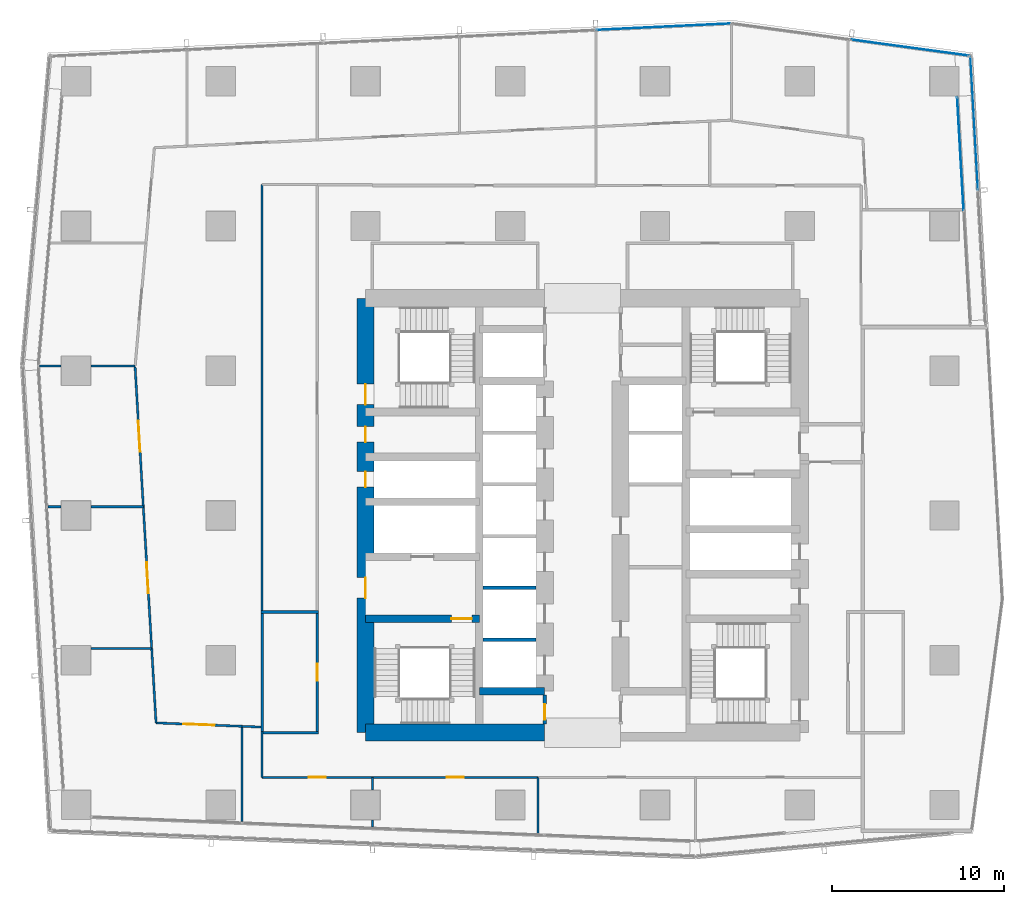
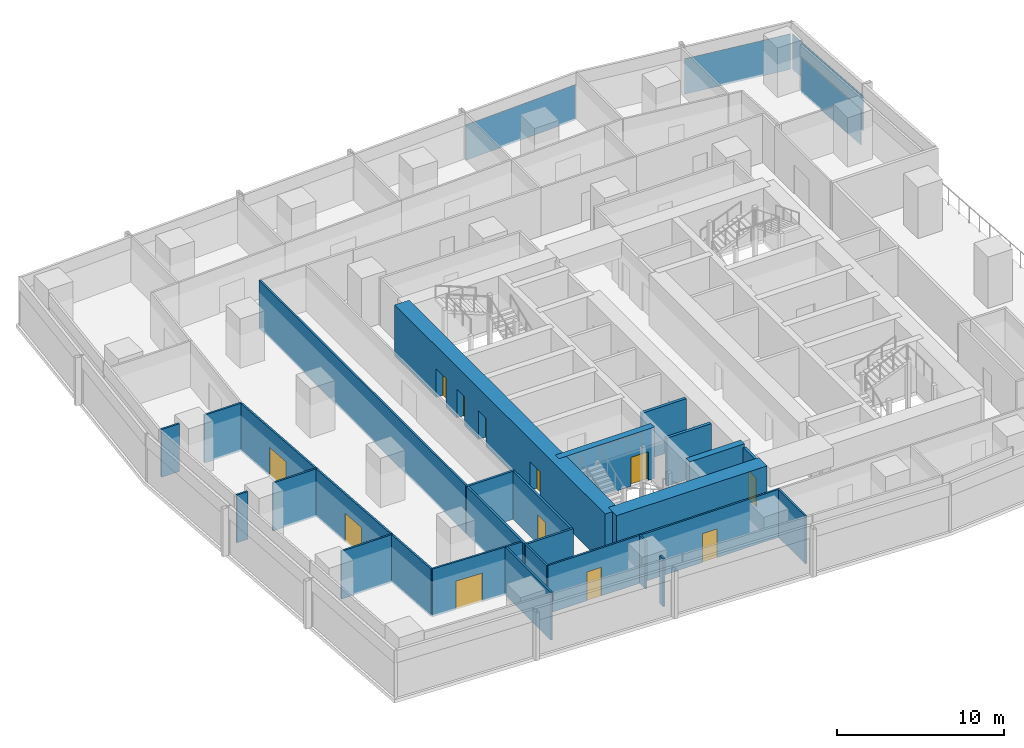
# One storey, part 24 of 34: 29 walls, 12 doors, 4 plates, 12 openings, 4 elements without a shape of their own.
"""IFC4 building model written with IfcOpenShell, lengths in metres."""

from ifc_helpers import new_model, si_unit, direction, frame, frame_2d, origin, origin_2d, place, context, subcontext, project, spatial, rectangle, extrude, material, layer, layer_set, type_object, element, fill, aggregate, save


model = new_model("IFC4")

# Units and contexts
model_context = context("Model", 3, precision=1e-05, world=origin(), true_north=direction((0.0, 1.0)))
body_context = subcontext(model_context, "Body", "Model", "MODEL_VIEW")
ifc_project = project(units=[si_unit("LENGTHUNIT", "METRE"), si_unit("AREAUNIT", "SQUARE_METRE"), si_unit("VOLUMEUNIT", "CUBIC_METRE"), si_unit("PLANEANGLEUNIT", "RADIAN"), si_unit("MASSUNIT", "GRAM", prefix="KILO")], contexts=[model_context])

# Site, building, storey
site_placement = place(None, origin())
site = spatial("IfcSite", under=ifc_project, at=site_placement, CompositionType="ELEMENT")
building_placement = place(site_placement, origin())
building = spatial("IfcBuilding", under=site, at=building_placement, Name="Rekha Terrace Tower", CompositionType="ELEMENT")
storey_placement = place(building_placement, frame((0.0, 0.0, 176.449951171875)))
storey = spatial("IfcBuildingStorey", under=building, at=storey_placement, Name="L44", CompositionType="ELEMENT", Elevation=176.449951171875)

# Curtain wall, plate
ifc_material_1 = material(Name="Aluminium framing", Category="aluminium")
curtain_wall_type_1 = type_object("IfcCurtainWallType", Name="CW1 double skin inner glazing", PredefinedType="USERDEFINED", material=ifc_material_1)
curtain_wall_1_placement = place(storey_placement, origin())
curtain_wall_1 = element("IfcCurtainWall", 1, at=curtain_wall_1_placement, inside=storey, type_object=curtain_wall_type_1, Name="CW1 double skin inner glazing", ObjectType="DOUBLE SKIN INNER GLAZING", PredefinedType="USERDEFINED")
ifc_material_2 = material(Name="Double-glazed low-e unit 32", Category="glass")
ifc_layer_1 = layer(ifc_material_2, 0.031982421875)
ifc_layer_set_1 = layer_set([ifc_layer_1], Name="Double-glazed low-e unit 32")
plate_type_1 = type_object("IfcPlateType", Name="CW1 jumbo vision panel, double-glazed low-e unit 32", PredefinedType="CURTAIN_PANEL", material=ifc_layer_set_1)
plate_1_placement = place(storey_placement, frame((59.72119140625, 54.584228515625, 0.0), z_axis=(0.0, 0.0, 1.0), x_axis=(-0.056673194877, 0.998392782918, 0.0)))
plate_1 = element("IfcPlate", 2, at=plate_1_placement, type_object=plate_type_1, Name="CW1 panel 2.1", PredefinedType="CURTAIN_PANEL", context=body_context, shape_type="SweptSolid", body=[
    extrude(rectangle(XDim=6.5615234375, YDim=0.031982421875, at=origin_2d()), origin(), (0.0, 0.0, 1.0), 2.60009765625),
])
aggregate(curtain_wall_1, [plate_1])

curtain_wall_type_2 = type_object("IfcCurtainWallType", Name="CW2 double skin outer glazing", PredefinedType="USERDEFINED", material=ifc_material_1)
curtain_wall_2_placement = place(storey_placement, origin())
curtain_wall_2 = element("IfcCurtainWall", 3, at=curtain_wall_2_placement, inside=storey, type_object=curtain_wall_type_2, Name="CW2 double skin outer glazing", ObjectType="DOUBLE SKIN OUTER GLAZING", PredefinedType="USERDEFINED")
ifc_material_3 = material(Name="Toughened single glazing 12", Category="glass")
ifc_layer_2 = layer(ifc_material_3, 0.011962890625)
ifc_layer_set_2 = layer_set([ifc_layer_2], Name="Toughened single glazing 12")
plate_type_2 = type_object("IfcPlateType", Name="CW2 jumbo vision panel, toughened single glazing 12", PredefinedType="CURTAIN_PANEL", material=ifc_layer_set_2)
plate_2_placement = place(storey_placement, frame((60.521484375, 56.368896484375, 0.0), z_axis=(0.0, 0.0, 1.0), x_axis=(-0.05667319486, 0.998392782919, 0.0)))
plate_2 = element("IfcPlate", 4, at=plate_2_placement, type_object=plate_type_2, Name="CW2 panel 2.1", PredefinedType="CURTAIN_PANEL", context=body_context, shape_type="SweptSolid", body=[
    extrude(rectangle(XDim=7.733154296875, YDim=0.011962890625, at=origin_2d()), origin(), (0.0, 0.0, 1.0), 2.60009765625),
])
aggregate(curtain_wall_2, [plate_2])

curtain_wall_type_3 = type_object("IfcCurtainWallType", Name="CW3 north unitised glazing", PredefinedType="USERDEFINED", material=ifc_material_1)
curtain_wall_3_placement = place(storey_placement, origin())
curtain_wall_3 = element("IfcCurtainWall", 5, at=curtain_wall_3_placement, inside=storey, type_object=curtain_wall_type_3, Name="CW3 unitised curtain wall", ObjectType="UNITISED CURTAIN WALL", PredefinedType="USERDEFINED")
ifc_material_4 = material(Name="Double-glazed unit 28", Category="glass")
ifc_layer_3 = layer(ifc_material_4, 0.028076171875)
ifc_layer_set_3 = layer_set([ifc_layer_3], Name="Double-glazed unit 28")
plate_type_3 = type_object("IfcPlateType", Name="CW3 jumbo vision panel, double-glazed unit 28", PredefinedType="CURTAIN_PANEL", material=ifc_layer_set_3)
plate_3_placement = place(storey_placement, frame((56.797119140625, 60.745361328125, 0.0), z_axis=(0.0, 0.0, 1.0), x_axis=(-0.990867270504, 0.134840840416, 0.0)))
plate_3 = element("IfcPlate", 6, at=plate_3_placement, type_object=plate_type_3, Name="CW3 panel 1.1", PredefinedType="CURTAIN_PANEL", context=body_context, shape_type="SweptSolid", body=[
    extrude(rectangle(XDim=6.8486328125, YDim=0.028076171875, at=origin_2d()), origin(), (0.0, 0.0, 1.0), 2.60009765625),
])
aggregate(curtain_wall_3, [plate_3])

curtain_wall_4_placement = place(storey_placement, origin())
curtain_wall_4 = element("IfcCurtainWall", 7, at=curtain_wall_4_placement, inside=storey, type_object=curtain_wall_type_3, Name="CW3 unitised curtain wall", ObjectType="UNITISED CURTAIN WALL", PredefinedType="USERDEFINED")
plate_4_placement = place(storey_placement, frame((42.50732421875, 61.95947265625, 0.0), z_axis=(0.0, 0.0, 1.0), x_axis=(-0.998858906204, -0.047758616983, 0.0)))
plate_4 = element("IfcPlate", 8, at=plate_4_placement, type_object=plate_type_3, Name="CW3 panel 1.1", PredefinedType="CURTAIN_PANEL", context=body_context, shape_type="SweptSolid", body=[
    extrude(rectangle(XDim=7.81298828125, YDim=0.028076171875, at=origin_2d()), origin(), (0.0, 0.0, 1.0), 2.60009765625),
])
aggregate(curtain_wall_4, [plate_4])

# Wall
ifc_material_5 = material(Name="Concrete M60", Category="concrete")
ifc_layer_4 = layer(ifc_material_5, 0.449951171875)
ifc_layer_set_4 = layer_set([ifc_layer_4], Name="Concrete M60")
wall_type_1 = type_object("IfcWallType", Name="CI3 450 core internal shear wall", PredefinedType="SHEAR", material=ifc_layer_set_4)
wall_1_placement = place(storey_placement, frame((31.800048828125, 23.39990234375, 0.0), z_axis=(0.0, 0.0, 1.0), x_axis=(1.0, 0.0, 0.0)))
element("IfcWall", 9, at=wall_1_placement, inside=storey, type_object=wall_type_1, Name="Core wall Y234W L44", PredefinedType="SHEAR", context=body_context, shape_type="SweptSolid", body=[
    extrude(rectangle(XDim=3.800048828125, YDim=0.449951171875, at=frame_2d((1.89990234375, 0.0))), origin(), (0.0, 0.0, 1.0), 3.75),
])

# Wall, opening, door
wall_2_placement = place(storey_placement, frame((25.199951171875, 27.60009765625, 0.0), z_axis=(0.0, 0.0, 1.0), x_axis=(1.0, 0.0, 0.0)))
wall_2 = element("IfcWall", 10, at=wall_2_placement, inside=storey, type_object=wall_type_1, Name="Core wall Y276W L44", PredefinedType="SHEAR", context=body_context, shape_type="SweptSolid", body=[
    extrude(rectangle(XDim=6.60009765625, YDim=0.449951171875, at=frame_2d((3.300048828125, 0.0))), origin(), (0.0, 0.0, 1.0), 3.75),
])
opening_1_placement = place(wall_2_placement, frame((4.97509765625, 0.0, 0.0)))
opening_1 = element("IfcOpeningElement", 11, at=opening_1_placement, cuts=wall_2, Name="Opening D1", PredefinedType="OPENING", context=body_context, shape_type="SweptSolid", body=[
    extrude(rectangle(XDim=1.199951171875, YDim=2.10009765625, at=frame_2d((0.60009765625, 1.050048828125))), frame((0.0, 0.23486328125, 0.0), z_axis=(0.0, -1.0, 0.0), x_axis=(1.0, 0.0, 0.0)), (0.0, 0.0, 1.0), 0.469970703125),
])
ifc_material_6 = material(Name="Steel fire door", Category="steel")
door_type_1 = type_object("IfcDoorType", Name="D1 1200x2100 stair fire door", OperationType="SINGLE_SWING_RIGHT", PredefinedType="DOOR", material=ifc_material_6)
door_1_placement = place(opening_1_placement, origin())
door_1 = element("IfcDoor", 12, at=door_1_placement, inside=storey, type_object=door_type_1, Name="Stair ST1 door L44", OperationType="SINGLE_SWING_RIGHT", OverallHeight=2.10009765625, OverallWidth=1.199951171875, PredefinedType="DOOR", context=body_context, shape_type="SweptSolid", body=[
    extrude(rectangle(XDim=1.199951171875, YDim=2.10009765625, at=frame_2d((0.60009765625, 1.050048828125))), frame((0.0, 0.02490234375, 0.0), z_axis=(0.0, -1.0, 0.0), x_axis=(1.0, 0.0, 0.0)), (0.0, 0.0, 1.0), 0.050048828125),
])
fill(opening_1, door_1)

# Wall
ifc_layer_5 = layer(ifc_material_5, 1.0)
ifc_layer_set_5 = layer_set([ifc_layer_5], Name="Concrete M60")
wall_type_2 = type_object("IfcWallType", Name="SW3 1000 core outer shear wall", PredefinedType="SHEAR", material=ifc_layer_set_5)
wall_3_placement = place(storey_placement, frame((25.199951171875, 21.0, 0.0), z_axis=(0.0, 0.0, 1.0), x_axis=(1.0, 0.0, 0.0)))
element("IfcWall", 13, at=wall_3_placement, inside=storey, type_object=wall_type_2, Name="Core wall S1 L44", PredefinedType="SHEAR", context=body_context, shape_type="SweptSolid", body=[
    extrude(rectangle(XDim=10.400146484375, YDim=1.0, at=frame_2d((5.2001953125, 0.0))), origin(), (0.0, 0.0, 1.0), 3.75),
])

# Wall, openings, doors
wall_4_placement = place(storey_placement, frame((25.199951171875, 21.0, 0.0), z_axis=(0.0, 0.0, 1.0), x_axis=(0.0, 1.0, 0.0)))
wall_4 = element("IfcWall", 14, at=wall_4_placement, inside=storey, type_object=wall_type_2, Name="Core wall W L44", PredefinedType="SHEAR", context=body_context, shape_type="SweptSolid", body=[
    extrude(rectangle(XDim=25.199951171875, YDim=1.0, at=frame_2d((12.60009765625, 0.0))), origin(), (0.0, 0.0, 1.0), 3.75),
])
opening_2_placement = place(wall_4_placement, frame((7.800048828125, 0.0, 0.0)))
opening_2 = element("IfcOpeningElement", 15, at=opening_2_placement, cuts=wall_4, Name="Opening D2", PredefinedType="OPENING", context=body_context, shape_type="SweptSolid", body=[
    extrude(rectangle(XDim=1.199951171875, YDim=2.10009765625, at=frame_2d((0.60009765625, 1.050048828125))), frame((0.0, 0.510009765625, 0.0), z_axis=(0.0, -1.0, 0.0), x_axis=(1.0, 0.0, 0.0)), (0.0, 0.0, 1.0), 1.02001953125),
])
opening_3_placement = place(wall_4_placement, frame((14.25, 0.0, 0.0)))
opening_3 = element("IfcOpeningElement", 16, at=opening_3_placement, cuts=wall_4, Name="Opening D5", PredefinedType="OPENING", context=body_context, shape_type="SweptSolid", body=[
    extrude(rectangle(XDim=0.89990234375, YDim=2.10009765625, at=frame_2d((0.449951171875, 1.050048828125))), frame((0.0, 0.510009765625, 0.0), z_axis=(0.0, -1.0, 0.0), x_axis=(1.0, 0.0, 0.0)), (0.0, 0.0, 1.0), 1.02001953125),
])
opening_4_placement = place(wall_4_placement, frame((16.85009765625, 0.0, 0.0)))
opening_4 = element("IfcOpeningElement", 17, at=opening_4_placement, cuts=wall_4, Name="Opening D5", PredefinedType="OPENING", context=body_context, shape_type="SweptSolid", body=[
    extrude(rectangle(XDim=0.89990234375, YDim=2.10009765625, at=frame_2d((0.449951171875, 1.050048828125))), frame((0.0, 0.510009765625, 0.0), z_axis=(0.0, -1.0, 0.0), x_axis=(1.0, 0.0, 0.0)), (0.0, 0.0, 1.0), 1.02001953125),
])
opening_5_placement = place(wall_4_placement, frame((19.02490234375, 0.0, 0.0)))
opening_5 = element("IfcOpeningElement", 18, at=opening_5_placement, cuts=wall_4, Name="Opening D1", PredefinedType="OPENING", context=body_context, shape_type="SweptSolid", body=[
    extrude(rectangle(XDim=1.199951171875, YDim=2.10009765625, at=frame_2d((0.60009765625, 1.050048828125))), frame((0.0, 0.510009765625, 0.0), z_axis=(0.0, -1.0, 0.0), x_axis=(1.0, 0.0, 0.0)), (0.0, 0.0, 1.0), 1.02001953125),
])
door_2_placement = place(opening_5_placement, origin())
door_2 = element("IfcDoor", 19, at=door_2_placement, inside=storey, type_object=door_type_1, Name="Stair ST4 door L44", OperationType="SINGLE_SWING_RIGHT", OverallHeight=2.10009765625, OverallWidth=1.199951171875, PredefinedType="DOOR", context=body_context, shape_type="SweptSolid", body=[
    extrude(rectangle(XDim=1.199951171875, YDim=2.10009765625, at=frame_2d((0.60009765625, 1.050048828125))), frame((0.0, 0.02490234375, 0.0), z_axis=(0.0, -1.0, 0.0), x_axis=(1.0, 0.0, 0.0)), (0.0, 0.0, 1.0), 0.050048828125),
])
fill(opening_5, door_2)
door_type_2 = type_object("IfcDoorType", Name="D2 1200x2100 firefighting lobby door", OperationType="SINGLE_SWING_LEFT", PredefinedType="DOOR", material=ifc_material_6)
door_3_placement = place(opening_2_placement, origin())
door_3 = element("IfcDoor", 20, at=door_3_placement, inside=storey, type_object=door_type_2, Name="Door flb1 L44", OperationType="SINGLE_SWING_LEFT", OverallHeight=2.10009765625, OverallWidth=1.199951171875, PredefinedType="DOOR", context=body_context, shape_type="SweptSolid", body=[
    extrude(rectangle(XDim=1.199951171875, YDim=2.10009765625, at=frame_2d((0.60009765625, 1.050048828125))), frame((0.0, 0.02490234375, 0.0), z_axis=(0.0, -1.0, 0.0), x_axis=(1.0, 0.0, 0.0)), (0.0, 0.0, 1.0), 0.050048828125),
])
fill(opening_2, door_3)
door_type_3 = type_object("IfcDoorType", Name="D5 900x2100 riser access door", OperationType="SINGLE_SWING_LEFT", PredefinedType="DOOR", material=ifc_material_6)
door_4_placement = place(opening_3_placement, origin())
door_4 = element("IfcDoor", 21, at=door_4_placement, inside=storey, type_object=door_type_3, Name="Door rs1 L44", OperationType="SINGLE_SWING_LEFT", OverallHeight=2.10009765625, OverallWidth=0.89990234375, PredefinedType="DOOR", context=body_context, shape_type="SweptSolid", body=[
    extrude(rectangle(XDim=0.89990234375, YDim=2.10009765625, at=frame_2d((0.449951171875, 1.050048828125))), frame((0.0, 0.02490234375, 0.0), z_axis=(0.0, -1.0, 0.0), x_axis=(1.0, 0.0, 0.0)), (0.0, 0.0, 1.0), 0.050048828125),
])
fill(opening_3, door_4)
door_5_placement = place(opening_4_placement, origin())
door_5 = element("IfcDoor", 22, at=door_5_placement, inside=storey, type_object=door_type_3, Name="Door elw L44", OperationType="SINGLE_SWING_LEFT", OverallHeight=2.10009765625, OverallWidth=0.89990234375, PredefinedType="DOOR", context=body_context, shape_type="SweptSolid", body=[
    extrude(rectangle(XDim=0.89990234375, YDim=2.10009765625, at=frame_2d((0.449951171875, 1.050048828125))), frame((0.0, 0.02490234375, 0.0), z_axis=(0.0, -1.0, 0.0), x_axis=(1.0, 0.0, 0.0)), (0.0, 0.0, 1.0), 0.050048828125),
])
fill(opening_4, door_5)

# Walls
ifc_material_7 = material(Name="Concrete block masonry, 1 hour", Category="masonry")
ifc_layer_6 = layer(ifc_material_7, 0.14990234375)
ifc_layer_set_6 = layer_set([ifc_layer_6], Name="Concrete block masonry, 1 hour")
wall_type_3 = type_object("IfcWallType", Name="WP2 150 tenancy partition", PredefinedType="PARTITIONING", material=ifc_layer_set_6)
for number, where, z_axis, x_axis, name in (
    (23, (19.125, 21.0, 0.0), (0.0, 0.0, 1.0), (1.0, 0.0, 0.0), "Men's WC wall L44"),
    (24, (19.125, 28.0, 0.0), (0.0, 0.0, 1.0), (1.0, 0.0, 0.0), "Men's WC wall L44"),
):
    element("IfcWall", number, at=place(storey_placement, frame(where, z_axis=z_axis, x_axis=x_axis)), inside=storey, type_object=wall_type_3, Name=name, PredefinedType="PARTITIONING", context=body_context, shape_type="SweptSolid", body=[
        extrude(rectangle(XDim=3.35009765625, YDim=0.14990234375, at=frame_2d((1.675048828125, 0.0))), origin(), (0.0, 0.0, 1.0), 3.5),
    ])
wall_5_placement = place(storey_placement, frame((19.199951171875, 21.074951171875, 0.0), z_axis=(0.0, 0.0, 1.0), x_axis=(0.0, 1.0, 0.0)))
element("IfcWall", 25, at=wall_5_placement, inside=storey, type_object=wall_type_3, Name="Men's WC wall L44", PredefinedType="PARTITIONING", context=body_context, shape_type="SweptSolid", body=[
    extrude(rectangle(XDim=6.85009765625, YDim=0.14990234375, at=frame_2d((3.425048828125, 0.0))), origin(), (0.0, 0.0, 1.0), 3.5),
])

# Wall, opening, door
wall_6_placement = place(storey_placement, frame((22.39990234375, 21.074951171875, 0.0), z_axis=(0.0, 0.0, 1.0), x_axis=(0.0, 1.0, 0.0)))
wall_6 = element("IfcWall", 26, at=wall_6_placement, inside=storey, type_object=wall_type_3, Name="Men's WC wall L44", PredefinedType="PARTITIONING", context=body_context, shape_type="SweptSolid", body=[
    extrude(rectangle(XDim=6.85009765625, YDim=0.14990234375, at=frame_2d((3.425048828125, 0.0))), origin(), (0.0, 0.0, 1.0), 3.5),
])
opening_6_placement = place(wall_6_placement, frame((2.925048828125, 0.0, 0.0)))
opening_6 = element("IfcOpeningElement", 27, at=opening_6_placement, cuts=wall_6, Name="Opening D3", PredefinedType="OPENING", context=body_context, shape_type="SweptSolid", body=[
    extrude(rectangle(XDim=1.0, YDim=2.10009765625, at=frame_2d((0.5, 1.050048828125))), frame((0.0, 0.0849609375, 0.0), z_axis=(0.0, -1.0, 0.0), x_axis=(1.0, 0.0, 0.0)), (0.0, 0.0, 1.0), 0.169921875),
])
ifc_material_8 = material(Name="Laminated timber fire door", Category="wood")
door_type_4 = type_object("IfcDoorType", Name="D3 1000x2100 WC door", OperationType="SINGLE_SWING_LEFT", PredefinedType="DOOR", material=ifc_material_8)
door_6_placement = place(opening_6_placement, origin())
door_6 = element("IfcDoor", 28, at=door_6_placement, inside=storey, type_object=door_type_4, Name="Door men's wc L44", OperationType="SINGLE_SWING_LEFT", OverallHeight=2.10009765625, OverallWidth=1.0, PredefinedType="DOOR", context=body_context, shape_type="SweptSolid", body=[
    extrude(rectangle(XDim=1.0, YDim=2.10009765625, at=frame_2d((0.5, 1.050048828125))), frame((0.0, 0.02490234375, 0.0), z_axis=(0.0, -1.0, 0.0), x_axis=(1.0, 0.0, 0.0)), (0.0, 0.0, 1.0), 0.050048828125),
])
fill(opening_6, door_6)

# Walls
ifc_material_9 = material(Name="Two layers of fire-rated gypsum board each side on steel studs, acoustic quilt, 1 hour", Category="steel")
ifc_layer_7 = layer(ifc_material_9, 0.125)
ifc_layer_set_7 = layer_set([ifc_layer_7], Name="Two layers of fire-rated gypsum board each side on steel studs, acoustic quilt, 1 hour")
wall_type_4 = type_object("IfcWallType", Name="WP3 125 office partition", PredefinedType="PARTITIONING", material=ifc_layer_set_7)
wall_7_placement = place(storey_placement, frame((35.199951171875, 15.1259765625, 0.0), z_axis=(0.0, 0.0, 1.0), x_axis=(0.0, 1.0, 0.0)))
element("IfcWall", 29, at=wall_7_placement, inside=storey, type_object=wall_type_4, Name="Partition L44-07", PredefinedType="PARTITIONING", context=body_context, shape_type="SweptSolid", body=[
    extrude(rectangle(XDim=3.27392578125, YDim=0.125, at=frame_2d((1.636962890625, 0.0))), origin(), (0.0, 0.0, 1.0), 3.5),
])
wall_8_placement = place(storey_placement, frame((11.83203125, 42.282958984375, 0.0), z_axis=(0.0, 0.0, 1.0), x_axis=(-1.0, 0.0, 0.0)))
element("IfcWall", 30, at=wall_8_placement, inside=storey, type_object=wall_type_4, Name="Partition L44-13", PredefinedType="PARTITIONING", context=body_context, shape_type="SweptSolid", body=[
    extrude(rectangle(XDim=2.56201171875, YDim=0.125, at=frame_2d((1.281005859375, 0.0))), origin(), (0.0, 0.0, 1.0), 3.5),
])
wall_9_placement = place(storey_placement, frame((7.530029296875, 42.282958984375, 0.0), z_axis=(0.0, 0.0, 1.0), x_axis=(-1.0, 0.0, 0.0)))
element("IfcWall", 31, at=wall_9_placement, inside=storey, type_object=wall_type_4, Name="Partition L44-13", PredefinedType="PARTITIONING", context=body_context, shape_type="SweptSolid", body=[
    extrude(rectangle(XDim=1.235107421875, YDim=0.125, at=frame_2d((0.61767578125, 0.0))), origin(), (0.0, 0.0, 1.0), 3.5),
])

# Wall, opening, door
wall_10_placement = place(storey_placement, frame((11.8291015625, 42.220947265625, 0.0), z_axis=(0.0, 0.0, 1.0), x_axis=(0.058626996203, -0.998279958387, 0.0)))
wall_10 = element("IfcWall", 32, at=wall_10_placement, inside=storey, type_object=wall_type_4, Name="Partition L44-14", PredefinedType="PARTITIONING", context=body_context, shape_type="SweptSolid", body=[
    extrude(rectangle(XDim=8.1328125, YDim=0.125, at=frame_2d((4.06640625, 0.0))), origin(), (0.0, 0.0, 1.0), 3.5),
])
opening_7_placement = place(wall_10_placement, frame((3.135009765625, 0.0, 0.0)))
opening_7 = element("IfcOpeningElement", 33, at=opening_7_placement, cuts=wall_10, Name="Opening D8", PredefinedType="OPENING", context=body_context, shape_type="SweptSolid", body=[
    extrude(rectangle(XDim=1.800048828125, YDim=2.10009765625, at=frame_2d((0.89990234375, 1.050048828125))), frame((0.0, 0.072509765625, 0.0), z_axis=(0.0, -1.0, 0.0), x_axis=(1.0, 0.0, 0.0)), (0.0, 0.0, 1.0), 0.14501953125),
])
ifc_material_10 = material(Name="Timber fire door", Category="wood")
door_type_5 = type_object("IfcDoorType", Name="D8 1800x2100 double leaf door", OperationType="DOUBLE_DOOR_SINGLE_SWING", PredefinedType="DOOR", material=ifc_material_10)
door_7_placement = place(opening_7_placement, origin())
door_7 = element("IfcDoor", 34, at=door_7_placement, inside=storey, type_object=door_type_5, Name="Door quiet room L44", OperationType="DOUBLE_DOOR_SINGLE_SWING", OverallHeight=2.10009765625, OverallWidth=1.800048828125, PredefinedType="DOOR", context=body_context, shape_type="SweptSolid", body=[
    extrude(rectangle(XDim=1.800048828125, YDim=2.10009765625, at=frame_2d((0.89990234375, 1.050048828125))), frame((0.0, 0.02490234375, 0.0), z_axis=(0.0, -1.0, 0.0), x_axis=(1.0, 0.0, 0.0)), (0.0, 0.0, 1.0), 0.050048828125),
])
fill(opening_7, door_7)

# Walls
wall_11_placement = place(storey_placement, frame((12.305908203125, 34.10205078125, 0.0), z_axis=(0.0, 0.0, 1.0), x_axis=(-1.0, 0.0, 0.0)))
element("IfcWall", 35, at=wall_11_placement, inside=storey, type_object=wall_type_4, Name="Partition L44-14", PredefinedType="PARTITIONING", context=body_context, shape_type="SweptSolid", body=[
    extrude(rectangle(XDim=3.035888671875, YDim=0.125, at=frame_2d((1.51806640625, 0.0))), origin(), (0.0, 0.0, 1.0), 3.5),
])
wall_12_placement = place(storey_placement, frame((7.530029296875, 34.10205078125, 0.0), z_axis=(0.0, 0.0, 1.0), x_axis=(-1.0, 0.0, 0.0)))
element("IfcWall", 36, at=wall_12_placement, inside=storey, type_object=wall_type_4, Name="Partition L44-14", PredefinedType="PARTITIONING", context=body_context, shape_type="SweptSolid", body=[
    extrude(rectangle(XDim=0.7529296875, YDim=0.125, at=frame_2d((0.37646484375, 0.0))), origin(), (0.0, 0.0, 1.0), 3.5),
])

# Wall, opening, door
wall_13_placement = place(storey_placement, frame((12.305908203125, 34.10107421875, 0.0), z_axis=(0.0, 0.0, 1.0), x_axis=(0.058850761021, -0.998266791959, 0.0)))
wall_13 = element("IfcWall", 37, at=wall_13_placement, inside=storey, type_object=wall_type_4, Name="Partition L44-15", PredefinedType="PARTITIONING", context=body_context, shape_type="SweptSolid", body=[
    extrude(rectangle(XDim=8.226318359375, YDim=0.125, at=frame_2d((4.11328125, 0.0))), origin(), (0.0, 0.0, 1.0), 3.5),
])
opening_8_placement = place(wall_13_placement, frame((3.212890625, 0.0, 0.0)))
opening_8 = element("IfcOpeningElement", 38, at=opening_8_placement, cuts=wall_13, Name="Opening D8", PredefinedType="OPENING", context=body_context, shape_type="SweptSolid", body=[
    extrude(rectangle(XDim=1.800048828125, YDim=2.10009765625, at=frame_2d((0.89990234375, 1.050048828125))), frame((0.0, 0.072509765625, 0.0), z_axis=(0.0, -1.0, 0.0), x_axis=(1.0, 0.0, 0.0)), (0.0, 0.0, 1.0), 0.14501953125),
])
door_8_placement = place(opening_8_placement, origin())
door_8 = element("IfcDoor", 39, at=door_8_placement, inside=storey, type_object=door_type_5, Name="Door staff dining L44", OperationType="DOUBLE_DOOR_SINGLE_SWING", OverallHeight=2.10009765625, OverallWidth=1.800048828125, PredefinedType="DOOR", context=body_context, shape_type="SweptSolid", body=[
    extrude(rectangle(XDim=1.800048828125, YDim=2.10009765625, at=frame_2d((0.89990234375, 1.050048828125))), frame((0.0, 0.02490234375, 0.0), z_axis=(0.0, -1.0, 0.0), x_axis=(1.0, 0.0, 0.0)), (0.0, 0.0, 1.0), 0.050048828125),
])
fill(opening_8, door_8)

# Walls
wall_14_placement = place(storey_placement, frame((12.7900390625, 25.888916015625, 0.0), z_axis=(0.0, 0.0, 1.0), x_axis=(-1.0, 0.0, 0.0)))
element("IfcWall", 40, at=wall_14_placement, inside=storey, type_object=wall_type_4, Name="Partition L44-15", PredefinedType="PARTITIONING", context=body_context, shape_type="SweptSolid", body=[
    extrude(rectangle(XDim=3.52001953125, YDim=0.125, at=frame_2d((1.760009765625, 0.0))), origin(), (0.0, 0.0, 1.0), 3.5),
])
wall_15_placement = place(storey_placement, frame((12.7900390625, 25.887939453125, 0.0), z_axis=(0.0, 0.0, 1.0), x_axis=(0.058619592845, -0.998280393144, 0.0)))
element("IfcWall", 41, at=wall_15_placement, inside=storey, type_object=wall_type_4, Name="Partition L44-16", PredefinedType="PARTITIONING", context=body_context, shape_type="SweptSolid", body=[
    extrude(rectangle(XDim=4.33154296875, YDim=0.125, at=frame_2d((2.165771484375, 0.0))), origin(), (0.0, 0.0, 1.0), 3.5),
])

# Wall, opening, door
wall_16_placement = place(storey_placement, frame((13.0439453125, 21.56396484375, 0.0), z_axis=(0.0, 0.0, 1.0), x_axis=(0.999205638445, -0.039850873273, 0.0)))
wall_16 = element("IfcWall", 42, at=wall_16_placement, inside=storey, type_object=wall_type_4, Name="Partition L44-16", PredefinedType="PARTITIONING", context=body_context, shape_type="SweptSolid", body=[
    extrude(rectangle(XDim=4.992919921875, YDim=0.125, at=frame_2d((2.49658203125, 0.0))), origin(), (0.0, 0.0, 1.0), 3.5),
])
opening_9_placement = place(wall_16_placement, frame((1.595947265625, 0.0, 0.0)))
opening_9 = element("IfcOpeningElement", 43, at=opening_9_placement, cuts=wall_16, Name="Opening D8", PredefinedType="OPENING", context=body_context, shape_type="SweptSolid", body=[
    extrude(rectangle(XDim=1.800048828125, YDim=2.10009765625, at=frame_2d((0.89990234375, 1.050048828125))), frame((0.0, 0.072509765625, 0.0), z_axis=(0.0, -1.0, 0.0), x_axis=(1.0, 0.0, 0.0)), (0.0, 0.0, 1.0), 0.14501953125),
])
door_9_placement = place(opening_9_placement, origin())
door_9 = element("IfcDoor", 44, at=door_9_placement, inside=storey, type_object=door_type_5, Name="Door club lounge L44", OperationType="DOUBLE_DOOR_SINGLE_SWING", OverallHeight=2.10009765625, OverallWidth=1.800048828125, PredefinedType="DOOR", context=body_context, shape_type="SweptSolid", body=[
    extrude(rectangle(XDim=1.800048828125, YDim=2.10009765625, at=frame_2d((0.89990234375, 1.050048828125))), frame((0.0, 0.02490234375, 0.0), z_axis=(0.0, -1.0, 0.0), x_axis=(1.0, 0.0, 0.0)), (0.0, 0.0, 1.0), 0.050048828125),
])
fill(opening_9, door_9)

# Walls
wall_17_placement = place(storey_placement, frame((18.032958984375, 21.364990234375, 0.0), z_axis=(0.0, 0.0, 1.0), x_axis=(0.0, -1.0, 0.0)))
element("IfcWall", 45, at=wall_17_placement, inside=storey, type_object=wall_type_4, Name="Partition L44-16", PredefinedType="PARTITIONING", context=body_context, shape_type="SweptSolid", body=[
    extrude(rectangle(XDim=5.52392578125, YDim=0.125, at=frame_2d((2.761962890625, 0.0))), origin(), (0.0, 0.0, 1.0), 3.5),
])
wall_18_placement = place(storey_placement, frame((25.60107421875, 18.39990234375, 0.0), z_axis=(0.0, 0.0, 1.0), x_axis=(0.0, -1.0, 0.0)))
element("IfcWall", 46, at=wall_18_placement, inside=storey, type_object=wall_type_4, Name="Partition L44-17", PredefinedType="PARTITIONING", context=body_context, shape_type="SweptSolid", body=[
    extrude(rectangle(XDim=0.72998046875, YDim=0.125, at=frame_2d((0.364990234375, 0.0))), origin(), (0.0, 0.0, 1.0), 3.5),
])
wall_19_placement = place(storey_placement, frame((25.60107421875, 15.929931640625, 0.0), z_axis=(0.0, 0.0, 1.0), x_axis=(0.0, -1.0, 0.0)))
element("IfcWall", 47, at=wall_19_placement, inside=storey, type_object=wall_type_4, Name="Partition L44-17", PredefinedType="PARTITIONING", context=body_context, shape_type="SweptSolid", body=[
    extrude(rectangle(XDim=0.4208984375, YDim=0.125, at=frame_2d((0.21044921875, 0.0))), origin(), (0.0, 0.0, 1.0), 3.5),
])
wall_20_placement = place(storey_placement, frame((18.033935546875, 21.364990234375, 0.0), z_axis=(0.0, 0.0, 1.0), x_axis=(0.999225413712, -0.039351907096, 0.0)))
element("IfcWall", 48, at=wall_20_placement, inside=storey, type_object=wall_type_4, Name="Partition L44-17", PredefinedType="PARTITIONING", context=body_context, shape_type="SweptSolid", body=[
    extrude(rectangle(XDim=1.091796875, YDim=0.125, at=frame_2d((0.5458984375, 0.0))), origin(), (0.0, 0.0, 1.0), 3.5),
])
wall_21_placement = place(storey_placement, frame((19.199951171875, 21.073974609375, 0.0), z_axis=(0.0, 0.0, 1.0), x_axis=(0.0, -1.0, 0.0)))
element("IfcWall", 49, at=wall_21_placement, inside=storey, type_object=wall_type_4, Name="Partition L44-17", PredefinedType="PARTITIONING", context=body_context, shape_type="SweptSolid", body=[
    extrude(rectangle(XDim=2.674072265625, YDim=0.125, at=frame_2d((1.3369140625, 0.0))), origin(), (0.0, 0.0, 1.0), 3.5),
])

# Wall, opening, door
wall_22_placement = place(storey_placement, frame((19.199951171875, 18.39990234375, 0.0), z_axis=(0.0, 0.0, 1.0), x_axis=(1.0, 0.0, 0.0)))
wall_22 = element("IfcWall", 50, at=wall_22_placement, inside=storey, type_object=wall_type_4, Name="Partition L44-17", PredefinedType="PARTITIONING", context=body_context, shape_type="SweptSolid", body=[
    extrude(rectangle(XDim=6.401123046875, YDim=0.125, at=frame_2d((3.20068359375, 0.0))), origin(), (0.0, 0.0, 1.0), 3.5),
])
opening_10_placement = place(wall_22_placement, frame((2.700927734375, 0.0, 0.0)))
opening_10 = element("IfcOpeningElement", 51, at=opening_10_placement, cuts=wall_22, Name="Opening D9", PredefinedType="OPENING", context=body_context, shape_type="SweptSolid", body=[
    extrude(rectangle(XDim=1.0, YDim=2.10009765625, at=frame_2d((0.5, 1.050048828125))), frame((0.0, 0.072509765625, 0.0), z_axis=(0.0, -1.0, 0.0), x_axis=(1.0, 0.0, 0.0)), (0.0, 0.0, 1.0), 0.14501953125),
])
door_type_6 = type_object("IfcDoorType", Name="D9 1000x2100 office door", OperationType="SINGLE_SWING_LEFT", PredefinedType="DOOR", material=ifc_material_10)
door_10_placement = place(opening_10_placement, origin())
door_10 = element("IfcDoor", 52, at=door_10_placement, inside=storey, type_object=door_type_6, Name="Door dining pantry L44", OperationType="SINGLE_SWING_LEFT", OverallHeight=2.10009765625, OverallWidth=1.0, PredefinedType="DOOR", context=body_context, shape_type="SweptSolid", body=[
    extrude(rectangle(XDim=1.0, YDim=2.10009765625, at=frame_2d((0.5, 1.050048828125))), frame((0.0, 0.02490234375, 0.0), z_axis=(0.0, -1.0, 0.0), x_axis=(1.0, 0.0, 0.0)), (0.0, 0.0, 1.0), 0.050048828125),
])
fill(opening_10, door_10)

wall_23_placement = place(storey_placement, frame((25.60205078125, 18.39990234375, 0.0), z_axis=(0.0, 0.0, 1.0), x_axis=(1.0, 0.0, 0.0)))
wall_23 = element("IfcWall", 53, at=wall_23_placement, inside=storey, type_object=wall_type_4, Name="Partition L44-18", PredefinedType="PARTITIONING", context=body_context, shape_type="SweptSolid", body=[
    extrude(rectangle(XDim=9.596923828125, YDim=0.125, at=frame_2d((4.79833984375, 0.0))), origin(), (0.0, 0.0, 1.0), 3.5),
])
opening_11_placement = place(wall_23_placement, frame((4.299072265625, 0.0, 0.0)))
opening_11 = element("IfcOpeningElement", 54, at=opening_11_placement, cuts=wall_23, Name="Opening D9", PredefinedType="OPENING", context=body_context, shape_type="SweptSolid", body=[
    extrude(rectangle(XDim=1.0, YDim=2.10009765625, at=frame_2d((0.5, 1.050048828125))), frame((0.0, 0.072509765625, 0.0), z_axis=(0.0, -1.0, 0.0), x_axis=(1.0, 0.0, 0.0)), (0.0, 0.0, 1.0), 0.14501953125),
])
door_11_placement = place(opening_11_placement, origin())
door_11 = element("IfcDoor", 55, at=door_11_placement, inside=storey, type_object=door_type_6, Name="Door quiet room L44", OperationType="SINGLE_SWING_LEFT", OverallHeight=2.10009765625, OverallWidth=1.0, PredefinedType="DOOR", context=body_context, shape_type="SweptSolid", body=[
    extrude(rectangle(XDim=1.0, YDim=2.10009765625, at=frame_2d((0.5, 1.050048828125))), frame((0.0, 0.02490234375, 0.0), z_axis=(0.0, -1.0, 0.0), x_axis=(1.0, 0.0, 0.0)), (0.0, 0.0, 1.0), 0.050048828125),
])
fill(opening_11, door_11)

# Walls
wall_24_placement = place(storey_placement, frame((19.199951171875, 28.074951171875, 0.0), z_axis=(0.0, 0.0, 1.0), x_axis=(0.0, 1.0, 0.0)))
element("IfcWall", 56, at=wall_24_placement, inside=storey, type_object=wall_type_4, Name="Partition L44-19", PredefinedType="PARTITIONING", context=body_context, shape_type="SweptSolid", body=[
    extrude(rectangle(XDim=24.72509765625, YDim=0.125, at=frame_2d((12.362548828125, 0.0))), origin(), (0.0, 0.0, 1.0), 3.5),
])
ifc_material_11 = material(Name="Solid concrete block masonry, 2 hour", Category="masonry")
ifc_layer_8 = layer(ifc_material_11, 0.199951171875)
ifc_layer_set_8 = layer_set([ifc_layer_8], Name="Solid concrete block masonry, 2 hour")
wall_type_5 = type_object("IfcWallType", Name="WS1 200 stair and shaft enclosure", PredefinedType="PARTITIONING", material=ifc_layer_set_8)
for number, where, z_axis, x_axis, name in (
    (57, (32.02490234375, 26.39990234375, 0.0), (0.0, 0.0, 1.0), (1.0, 0.0, 0.0), "Lift shaft divider L44"),
    (58, (32.02490234375, 29.39990234375, 0.0), (0.0, 0.0, 1.0), (1.0, 0.0, 0.0), "Lift shaft divider L44"),
):
    element("IfcWall", number, at=place(storey_placement, frame(where, z_axis=z_axis, x_axis=x_axis)), inside=storey, type_object=wall_type_5, Name=name, PredefinedType="PARTITIONING", context=body_context, shape_type="SweptSolid", body=[
        extrude(rectangle(XDim=3.0751953125, YDim=0.199951171875, at=frame_2d((1.53759765625, 0.0))), origin(), (0.0, 0.0, 1.0), 3.5),
    ])

# Wall, opening, door
wall_25_placement = place(storey_placement, frame((35.60009765625, 21.5, 0.0), z_axis=(0.0, 0.0, 1.0), x_axis=(0.0, 1.0, 0.0)))
wall_25 = element("IfcWall", 59, at=wall_25_placement, inside=storey, type_object=wall_type_5, Name="Core partition west L44", PredefinedType="PARTITIONING", context=body_context, shape_type="SweptSolid", body=[
    extrude(rectangle(XDim=1.675048828125, YDim=0.199951171875, at=frame_2d((0.83740234375, 0.0))), origin(), (0.0, 0.0, 1.0), 3.5),
])
opening_12_placement = place(wall_25_placement, frame((0.25, 0.0, 0.0)))
opening_12 = element("IfcOpeningElement", 60, at=opening_12_placement, cuts=wall_25, Name="Opening D5", PredefinedType="OPENING", context=body_context, shape_type="SweptSolid", body=[
    extrude(rectangle(XDim=0.89990234375, YDim=2.10009765625, at=frame_2d((0.449951171875, 1.050048828125))), frame((0.0, 0.10986328125, 0.0), z_axis=(0.0, -1.0, 0.0), x_axis=(1.0, 0.0, 0.0)), (0.0, 0.0, 1.0), 0.219970703125),
])
door_12_placement = place(opening_12_placement, origin())
door_12 = element("IfcDoor", 61, at=door_12_placement, inside=storey, type_object=door_type_3, Name="Door cleaner's store L44", OperationType="SINGLE_SWING_LEFT", OverallHeight=2.10009765625, OverallWidth=0.89990234375, PredefinedType="DOOR", context=body_context, shape_type="SweptSolid", body=[
    extrude(rectangle(XDim=0.89990234375, YDim=2.10009765625, at=frame_2d((0.449951171875, 1.050048828125))), frame((0.0, 0.02490234375, 0.0), z_axis=(0.0, -1.0, 0.0), x_axis=(1.0, 0.0, 0.0)), (0.0, 0.0, 1.0), 0.050048828125),
])
fill(opening_12, door_12)

save(model, "model.ifc")
